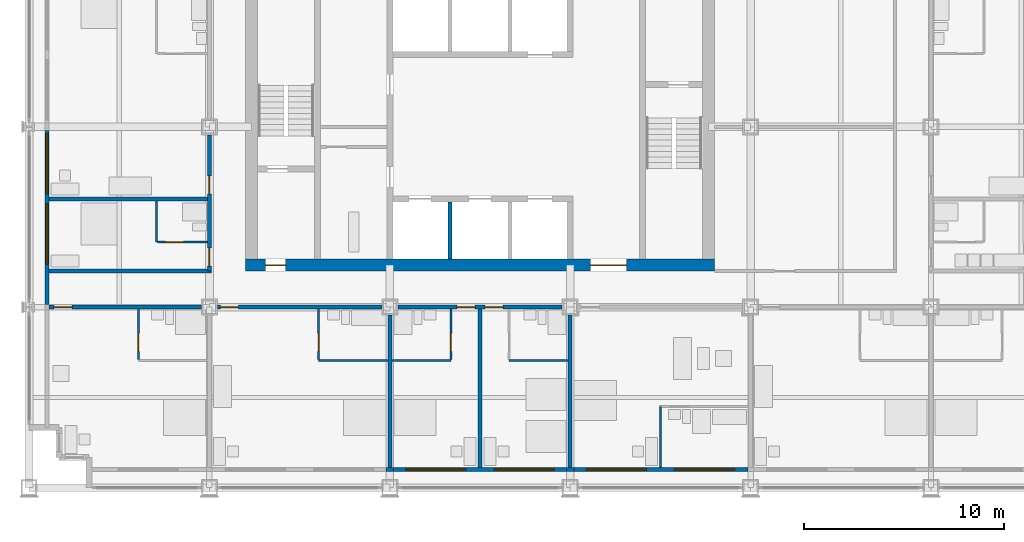
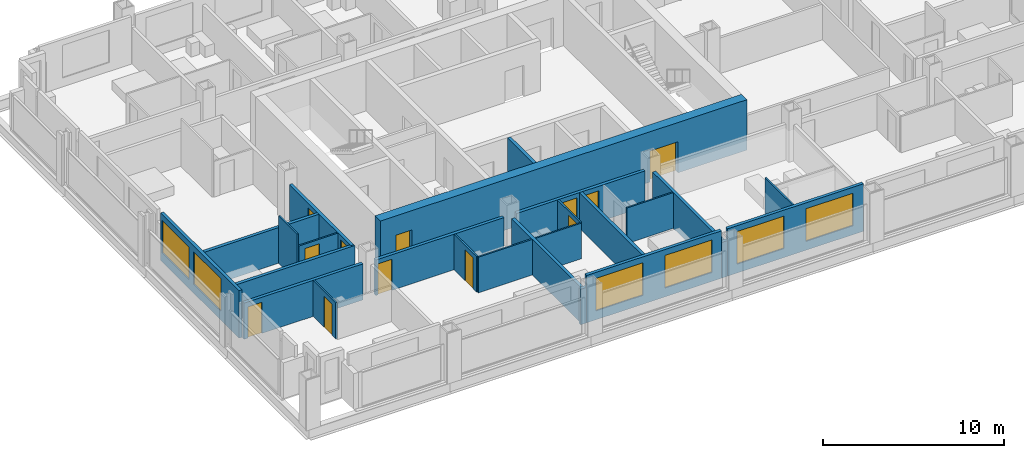
# One storey, part 10 of 18: 25 walls, 12 doors, 6 windows, 18 openings.
"""IFC4 building model written with IfcOpenShell, lengths in metres."""

from ifc_helpers import new_model, si_unit, direction, frame, frame_2d, origin, place, context, subcontext, project, spatial, rectangle, extrude, material, layer, layer_set, type_object, element, fill, save


model = new_model("IFC4")

# Units and contexts
model_context = context("Model", 3, precision=1e-05, world=origin(), true_north=direction((0.0, 1.0)))
body_context = subcontext(model_context, "Body", "Model", "MODEL_VIEW")
ifc_project = project(units=[si_unit("LENGTHUNIT", "METRE"), si_unit("AREAUNIT", "SQUARE_METRE"), si_unit("VOLUMEUNIT", "CUBIC_METRE"), si_unit("PLANEANGLEUNIT", "RADIAN"), si_unit("MASSUNIT", "GRAM", prefix="KILO")], contexts=[model_context])

# Site, building, storey
site_placement = place(None, origin())
site = spatial("IfcSite", under=ifc_project, at=site_placement, CompositionType="ELEMENT")
building_placement = place(site_placement, origin())
building = spatial("IfcBuilding", under=site, at=building_placement, Name="Loomwork Tower", CompositionType="ELEMENT")
storey_placement = place(building_placement, frame((0.0, 0.0, 65.39990234375)))
storey = spatial("IfcBuildingStorey", under=building, at=storey_placement, Name="L16", CompositionType="ELEMENT", Elevation=65.39990234375)

# Wall, openings, doors
ifc_material_1 = material(Name="Concrete 14000 psi (97 MPa)", Category="concrete")
ifc_layer_1 = layer(ifc_material_1, 0.60009765625)
ifc_layer_set_1 = layer_set([ifc_layer_1], Name="Core shear wall 600")
wall_type_1 = type_object("IfcWallType", Name="Core shear wall 600", PredefinedType="SHEAR", material=ifc_layer_set_1)
wall_1_placement = place(storey_placement, frame((10.800048828125, 11.10009765625, 0.0), z_axis=(0.0, 0.0, 1.0), x_axis=(1.0, 0.0, 0.0)))
wall_1 = element("IfcWall", 1, at=wall_1_placement, inside=storey, type_object=wall_type_1, Name="Core wall south L16", PredefinedType="SHEAR", context=body_context, shape_type="SweptSolid", body=[
    extrude(rectangle(XDim=23.39990234375, YDim=0.60009765625, at=frame_2d((11.699951171875, 0.0))), origin(), (0.0, 0.0, 1.0), 3.400146484375),
])
opening_1_placement = place(wall_1_placement, frame((1.0, 0.0, 0.0)))
opening_1 = element("IfcOpeningElement", 2, at=opening_1_placement, cuts=wall_1, Name="Opening D4", PredefinedType="OPENING", context=body_context, shape_type="SweptSolid", body=[
    extrude(rectangle(XDim=1.0, YDim=2.10009765625, at=frame_2d((0.5, 1.050048828125))), frame((0.0, 0.31005859375, 0.0), z_axis=(0.0, -1.0, 0.0), x_axis=(1.0, 0.0, 0.0)), (0.0, 0.0, 1.0), 0.6201171875),
])
opening_2_placement = place(wall_1_placement, frame((17.199951171875, 0.0, 0.0)))
opening_2 = element("IfcOpeningElement", 3, at=opening_2_placement, cuts=wall_1, Name="Opening D6", PredefinedType="OPENING", context=body_context, shape_type="SweptSolid", body=[
    extrude(rectangle(XDim=1.800048828125, YDim=2.10009765625, at=frame_2d((0.89990234375, 1.050048828125))), frame((0.0, 0.31005859375, 0.0), z_axis=(0.0, -1.0, 0.0), x_axis=(1.0, 0.0, 0.0)), (0.0, 0.0, 1.0), 0.6201171875),
])
ifc_material_2 = material(Name="Hollow metal door and frame")
door_type_1 = type_object("IfcDoorType", Name="Lobby passage double door 1800", OperationType="DOUBLE_DOOR_SINGLE_SWING", PredefinedType="DOOR", material=ifc_material_2)
door_1_placement = place(opening_2_placement, origin())
door_1 = element("IfcDoor", 4, at=door_1_placement, inside=storey, type_object=door_type_1, Name="Lobby passage door south", OperationType="DOUBLE_DOOR_SINGLE_SWING", OverallHeight=2.10009765625, OverallWidth=1.800048828125, PredefinedType="DOOR", context=body_context, shape_type="SweptSolid", body=[
    extrude(rectangle(XDim=1.800048828125, YDim=2.10009765625, at=frame_2d((0.89990234375, 1.050048828125))), frame((0.0, 0.02490234375, 0.0), z_axis=(0.0, -1.0, 0.0), x_axis=(1.0, 0.0, 0.0)), (0.0, 0.0, 1.0), 0.050048828125),
])
fill(opening_2, door_1)
ifc_material_3 = material(Name="Hollow metal door and frame")
door_type_2 = type_object("IfcDoorType", Name="Stair door 1000", OperationType="SINGLE_SWING_RIGHT", PredefinedType="DOOR", material=ifc_material_3)
door_2_placement = place(opening_1_placement, origin())
door_2 = element("IfcDoor", 5, at=door_2_placement, inside=storey, type_object=door_type_2, Name="Stair A vestibule door", OperationType="SINGLE_SWING_LEFT", OverallHeight=2.10009765625, OverallWidth=1.0, PredefinedType="DOOR", context=body_context, shape_type="SweptSolid", body=[
    extrude(rectangle(XDim=1.0, YDim=2.10009765625, at=frame_2d((0.5, 1.050048828125))), frame((0.0, 0.02490234375, 0.0), z_axis=(0.0, -1.0, 0.0), x_axis=(1.0, 0.0, 0.0)), (0.0, 0.0, 1.0), 0.050048828125),
])
fill(opening_1, door_2)

# Wall, opening, door
ifc_material_4 = material(Name="Gypsum board on steel studs, one-hour", Category="steel")
ifc_layer_2 = layer(ifc_material_4, 0.199951171875)
ifc_layer_set_2 = layer_set([ifc_layer_2], Name="Corridor wall 200")
wall_type_2 = type_object("IfcWallType", Name="Corridor wall 200", PredefinedType="PARTITIONING", material=ifc_layer_set_2)
wall_2_placement = place(storey_placement, frame((1.0, 9.0, 0.0), z_axis=(0.0, 0.0, 1.0), x_axis=(1.0, 0.0, 0.0)))
wall_2 = element("IfcWall", 6, at=wall_2_placement, inside=storey, type_object=wall_type_2, Name="South corridor wall 1", PredefinedType="PARTITIONING", context=body_context, shape_type="SweptSolid", body=[
    extrude(rectangle(XDim=7.60009765625, YDim=0.199951171875, at=frame_2d((3.800048828125, 0.0))), origin(), (0.0, 0.0, 1.0), 2.43798828125),
])
opening_3_placement = place(wall_2_placement, frame((0.25, 0.0, 0.0)))
opening_3 = element("IfcOpeningElement", 7, at=opening_3_placement, cuts=wall_2, Name="Opening D1", PredefinedType="OPENING", context=body_context, shape_type="SweptSolid", body=[
    extrude(rectangle(XDim=0.89990234375, YDim=2.10009765625, at=frame_2d((0.449951171875, 1.050048828125))), frame((0.0, 0.10986328125, 0.0), z_axis=(0.0, -1.0, 0.0), x_axis=(1.0, 0.0, 0.0)), (0.0, 0.0, 1.0), 0.219970703125),
])
ifc_material_5 = material(Name="Hollow metal door and frame")
door_type_3 = type_object("IfcDoorType", Name="Guest room entry door 900", OperationType="SINGLE_SWING_LEFT", PredefinedType="DOOR", material=ifc_material_5)
door_3_placement = place(opening_3_placement, frame((0.89990234375, 0.0, 0.0), z_axis=(0.0, 0.0, 1.0), x_axis=(-1.0, 0.0, 0.0)))
door_3 = element("IfcDoor", 8, at=door_3_placement, inside=storey, type_object=door_type_3, Name="Guest room entry door L16 1", OperationType="SINGLE_SWING_RIGHT", OverallHeight=2.10009765625, OverallWidth=0.89990234375, PredefinedType="DOOR", context=body_context, shape_type="SweptSolid", body=[
    extrude(rectangle(XDim=0.89990234375, YDim=2.10009765625, at=frame_2d((0.449951171875, 1.050048828125))), frame((0.0, 0.02490234375, 0.0), z_axis=(0.0, -1.0, 0.0), x_axis=(1.0, 0.0, 0.0)), (0.0, 0.0, 1.0), 0.050048828125),
])
fill(opening_3, door_3)

wall_3_placement = place(storey_placement, frame((9.39990234375, 9.0, 0.0), z_axis=(0.0, 0.0, 1.0), x_axis=(1.0, 0.0, 0.0)))
wall_3 = element("IfcWall", 9, at=wall_3_placement, inside=storey, type_object=wall_type_2, Name="South corridor wall 2", PredefinedType="PARTITIONING", context=body_context, shape_type="SweptSolid", body=[
    extrude(rectangle(XDim=8.2001953125, YDim=0.199951171875, at=frame_2d((4.10009765625, 0.0))), origin(), (0.0, 0.0, 1.0), 2.405029296875),
])
opening_4_placement = place(wall_3_placement, frame((0.14990234375, 0.0, 0.0)))
opening_4 = element("IfcOpeningElement", 10, at=opening_4_placement, cuts=wall_3, Name="Opening D1", PredefinedType="OPENING", context=body_context, shape_type="SweptSolid", body=[
    extrude(rectangle(XDim=0.89990234375, YDim=2.10009765625, at=frame_2d((0.449951171875, 1.050048828125))), frame((0.0, 0.10986328125, 0.0), z_axis=(0.0, -1.0, 0.0), x_axis=(1.0, 0.0, 0.0)), (0.0, 0.0, 1.0), 0.219970703125),
])
door_4_placement = place(opening_4_placement, frame((0.89990234375, 0.0, 0.0), z_axis=(0.0, 0.0, 1.0), x_axis=(-1.0, 0.0, 0.0)))
door_4 = element("IfcDoor", 11, at=door_4_placement, inside=storey, type_object=door_type_3, Name="Guest room entry door L16 2", OperationType="SINGLE_SWING_RIGHT", OverallHeight=2.10009765625, OverallWidth=0.89990234375, PredefinedType="DOOR", context=body_context, shape_type="SweptSolid", body=[
    extrude(rectangle(XDim=0.89990234375, YDim=2.10009765625, at=frame_2d((0.449951171875, 1.050048828125))), frame((0.0, 0.02490234375, 0.0), z_axis=(0.0, -1.0, 0.0), x_axis=(1.0, 0.0, 0.0)), (0.0, 0.0, 1.0), 0.050048828125),
])
fill(opening_4, door_4)

# Wall, openings, doors
wall_4_placement = place(storey_placement, frame((18.39990234375, 9.0, 0.0), z_axis=(0.0, 0.0, 1.0), x_axis=(1.0, 0.0, 0.0)))
wall_4 = element("IfcWall", 12, at=wall_4_placement, inside=storey, type_object=wall_type_2, Name="South corridor wall 3", PredefinedType="PARTITIONING", context=body_context, shape_type="SweptSolid", body=[
    extrude(rectangle(XDim=8.2001953125, YDim=0.199951171875, at=frame_2d((4.10009765625, 0.0))), origin(), (0.0, 0.0, 1.0), 2.405029296875),
])
opening_5_placement = place(wall_4_placement, frame((2.949951171875, 0.0, 0.0)))
opening_5 = element("IfcOpeningElement", 13, at=opening_5_placement, cuts=wall_4, Name="Opening D1", PredefinedType="OPENING", context=body_context, shape_type="SweptSolid", body=[
    extrude(rectangle(XDim=0.89990234375, YDim=2.10009765625, at=frame_2d((0.449951171875, 1.050048828125))), frame((0.0, 0.10986328125, 0.0), z_axis=(0.0, -1.0, 0.0), x_axis=(1.0, 0.0, 0.0)), (0.0, 0.0, 1.0), 0.219970703125),
])
opening_6_placement = place(wall_4_placement, frame((4.35009765625, 0.0, 0.0)))
opening_6 = element("IfcOpeningElement", 14, at=opening_6_placement, cuts=wall_4, Name="Opening D1", PredefinedType="OPENING", context=body_context, shape_type="SweptSolid", body=[
    extrude(rectangle(XDim=0.89990234375, YDim=2.10009765625, at=frame_2d((0.449951171875, 1.050048828125))), frame((0.0, 0.10986328125, 0.0), z_axis=(0.0, -1.0, 0.0), x_axis=(1.0, 0.0, 0.0)), (0.0, 0.0, 1.0), 0.219970703125),
])
door_5_placement = place(opening_5_placement, frame((0.89990234375, 0.0, 0.0), z_axis=(0.0, 0.0, 1.0), x_axis=(-1.0, 0.0, 0.0)))
door_5 = element("IfcDoor", 15, at=door_5_placement, inside=storey, type_object=door_type_3, Name="Guest room entry door L16 3", OperationType="SINGLE_SWING_LEFT", OverallHeight=2.10009765625, OverallWidth=0.89990234375, PredefinedType="DOOR", context=body_context, shape_type="SweptSolid", body=[
    extrude(rectangle(XDim=0.89990234375, YDim=2.10009765625, at=frame_2d((0.449951171875, 1.050048828125))), frame((0.0, 0.02490234375, 0.0), z_axis=(0.0, -1.0, 0.0), x_axis=(1.0, 0.0, 0.0)), (0.0, 0.0, 1.0), 0.050048828125),
])
fill(opening_5, door_5)
door_6_placement = place(opening_6_placement, frame((0.89990234375, 0.0, 0.0), z_axis=(0.0, 0.0, 1.0), x_axis=(-1.0, 0.0, 0.0)))
door_6 = element("IfcDoor", 16, at=door_6_placement, inside=storey, type_object=door_type_3, Name="Guest room entry door L16 4", OperationType="SINGLE_SWING_RIGHT", OverallHeight=2.10009765625, OverallWidth=0.89990234375, PredefinedType="DOOR", context=body_context, shape_type="SweptSolid", body=[
    extrude(rectangle(XDim=0.89990234375, YDim=2.10009765625, at=frame_2d((0.449951171875, 1.050048828125))), frame((0.0, 0.02490234375, 0.0), z_axis=(0.0, -1.0, 0.0), x_axis=(1.0, 0.0, 0.0)), (0.0, 0.0, 1.0), 0.050048828125),
])
fill(opening_6, door_6)

wall_5_placement = place(storey_placement, frame((9.0, 10.800048828125, 0.0), z_axis=(0.0, 0.0, 1.0), x_axis=(0.0, 1.0, 0.0)))
wall_5 = element("IfcWall", 17, at=wall_5_placement, inside=storey, type_object=wall_type_2, Name="West corridor wall 1", PredefinedType="PARTITIONING", context=body_context, shape_type="SweptSolid", body=[
    extrude(rectangle(XDim=6.800048828125, YDim=0.199951171875, at=frame_2d((3.39990234375, 0.0))), origin(), (0.0, 0.0, 1.0), 2.405029296875),
])
opening_7_placement = place(wall_5_placement, frame((0.25, 0.0, 0.0)))
opening_7 = element("IfcOpeningElement", 18, at=opening_7_placement, cuts=wall_5, Name="Opening D1", PredefinedType="OPENING", context=body_context, shape_type="SweptSolid", body=[
    extrude(rectangle(XDim=0.89990234375, YDim=2.10009765625, at=frame_2d((0.449951171875, 1.050048828125))), frame((0.0, 0.10986328125, 0.0), z_axis=(0.0, -1.0, 0.0), x_axis=(1.0, 0.0, 0.0)), (0.0, 0.0, 1.0), 0.219970703125),
])
opening_8_placement = place(wall_5_placement, frame((3.85009765625, 0.0, 0.0)))
opening_8 = element("IfcOpeningElement", 19, at=opening_8_placement, cuts=wall_5, Name="Opening D1", PredefinedType="OPENING", context=body_context, shape_type="SweptSolid", body=[
    extrude(rectangle(XDim=0.89990234375, YDim=2.10009765625, at=frame_2d((0.449951171875, 1.050048828125))), frame((0.0, 0.10986328125, 0.0), z_axis=(0.0, -1.0, 0.0), x_axis=(1.0, 0.0, 0.0)), (0.0, 0.0, 1.0), 0.219970703125),
])
door_7_placement = place(opening_7_placement, origin())
door_7 = element("IfcDoor", 20, at=door_7_placement, inside=storey, type_object=door_type_3, Name="Guest room entry door L16 16", OperationType="SINGLE_SWING_LEFT", OverallHeight=2.10009765625, OverallWidth=0.89990234375, PredefinedType="DOOR", context=body_context, shape_type="SweptSolid", body=[
    extrude(rectangle(XDim=0.89990234375, YDim=2.10009765625, at=frame_2d((0.449951171875, 1.050048828125))), frame((0.0, 0.02490234375, 0.0), z_axis=(0.0, -1.0, 0.0), x_axis=(1.0, 0.0, 0.0)), (0.0, 0.0, 1.0), 0.050048828125),
])
fill(opening_7, door_7)
door_8_placement = place(opening_8_placement, origin())
door_8 = element("IfcDoor", 21, at=door_8_placement, inside=storey, type_object=door_type_3, Name="Guest room entry door L16 17", OperationType="SINGLE_SWING_LEFT", OverallHeight=2.10009765625, OverallWidth=0.89990234375, PredefinedType="DOOR", context=body_context, shape_type="SweptSolid", body=[
    extrude(rectangle(XDim=0.89990234375, YDim=2.10009765625, at=frame_2d((0.449951171875, 1.050048828125))), frame((0.0, 0.02490234375, 0.0), z_axis=(0.0, -1.0, 0.0), x_axis=(1.0, 0.0, 0.0)), (0.0, 0.0, 1.0), 0.050048828125),
])
fill(opening_8, door_8)

# Wall
wall_6_placement = place(storey_placement, frame((1.0, 10.800048828125, 0.0), z_axis=(0.0, 0.0, 1.0), x_axis=(1.0, 0.0, 0.0)))
element("IfcWall", 22, at=wall_6_placement, inside=storey, type_object=wall_type_2, Name="West band end wall S", PredefinedType="PARTITIONING", context=body_context, shape_type="SweptSolid", body=[
    extrude(rectangle(XDim=8.10009765625, YDim=0.199951171875, at=frame_2d((4.050048828125, 0.0))), origin(), (0.0, 0.0, 1.0), 2.404052734375),
])

# Wall, opening, door
ifc_material_6 = material(Name="Cement board on steel studs", Category="steel")
ifc_layer_3 = layer(ifc_material_6, 0.10009765625)
ifc_layer_set_3 = layer_set([ifc_layer_3], Name="En-suite partition 100")
wall_type_3 = type_object("IfcWallType", Name="En-suite partition 100", PredefinedType="PARTITIONING", material=ifc_layer_set_3)
wall_7_placement = place(storey_placement, frame((5.449951171875, 8.89990234375, 0.0), z_axis=(0.0, 0.0, 1.0), x_axis=(0.0, -1.0, 0.0)))
wall_7 = element("IfcWall", 23, at=wall_7_placement, inside=storey, type_object=wall_type_3, Name="En-suite side wall L16 room 1", PredefinedType="PARTITIONING", context=body_context, shape_type="SweptSolid", body=[
    extrude(rectangle(XDim=2.5, YDim=0.10009765625, at=frame_2d((1.25, 0.0))), origin(), (0.0, 0.0, 1.0), 2.43798828125),
])
opening_9_placement = place(wall_7_placement, frame((1.199951171875, 0.0, 0.0)))
opening_9 = element("IfcOpeningElement", 24, at=opening_9_placement, cuts=wall_7, Name="Opening D3", PredefinedType="OPENING", context=body_context, shape_type="SweptSolid", body=[
    extrude(rectangle(XDim=0.89990234375, YDim=2.10009765625, at=frame_2d((0.449951171875, 1.050048828125))), frame((0.0, 0.06005859375, 0.0), z_axis=(0.0, -1.0, 0.0), x_axis=(1.0, 0.0, 0.0)), (0.0, 0.0, 1.0), 0.1201171875),
])
ifc_material_7 = material(Name="Hollow metal door and frame")
door_type_4 = type_object("IfcDoorType", Name="Accessible en-suite door 900", OperationType="SLIDING_TO_LEFT", PredefinedType="DOOR", material=ifc_material_7)
door_9_placement = place(opening_9_placement, origin())
door_9 = element("IfcDoor", 25, at=door_9_placement, inside=storey, type_object=door_type_4, Name="Accessible en-suite door room 1", OperationType="SLIDING_TO_LEFT", OverallHeight=2.10009765625, OverallWidth=0.89990234375, PredefinedType="DOOR", context=body_context, shape_type="SweptSolid", body=[
    extrude(rectangle(XDim=0.89990234375, YDim=2.10009765625, at=frame_2d((0.449951171875, 1.050048828125))), frame((0.0, 0.02490234375, 0.0), z_axis=(0.0, -1.0, 0.0), x_axis=(1.0, 0.0, 0.0)), (0.0, 0.0, 1.0), 0.050048828125),
])
fill(opening_9, door_9)

# Wall
wall_8_placement = place(storey_placement, frame((14.449951171875, 6.35009765625, 0.0), z_axis=(0.0, 0.0, 1.0), x_axis=(1.0, 0.0, 0.0)))
element("IfcWall", 26, at=wall_8_placement, inside=storey, type_object=wall_type_3, Name="En-suite wall L16 room 2", PredefinedType="PARTITIONING", context=body_context, shape_type="SweptSolid", body=[
    extrude(rectangle(XDim=3.449951171875, YDim=0.10009765625, at=frame_2d((1.72509765625, 0.0))), origin(), (0.0, 0.0, 1.0), 2.404052734375),
])

# Wall, opening, door
wall_9_placement = place(storey_placement, frame((14.449951171875, 8.89990234375, 0.0), z_axis=(0.0, 0.0, 1.0), x_axis=(0.0, -1.0, 0.0)))
wall_9 = element("IfcWall", 27, at=wall_9_placement, inside=storey, type_object=wall_type_3, Name="En-suite side wall L16 room 2", PredefinedType="PARTITIONING", context=body_context, shape_type="SweptSolid", body=[
    extrude(rectangle(XDim=2.5, YDim=0.10009765625, at=frame_2d((1.25, 0.0))), origin(), (0.0, 0.0, 1.0), 2.404052734375),
])
opening_10_placement = place(wall_9_placement, frame((1.199951171875, 0.0, 0.0)))
opening_10 = element("IfcOpeningElement", 28, at=opening_10_placement, cuts=wall_9, Name="Opening D2", PredefinedType="OPENING", context=body_context, shape_type="SweptSolid", body=[
    extrude(rectangle(XDim=0.89990234375, YDim=2.10009765625, at=frame_2d((0.449951171875, 1.050048828125))), frame((0.0, 0.06005859375, 0.0), z_axis=(0.0, -1.0, 0.0), x_axis=(1.0, 0.0, 0.0)), (0.0, 0.0, 1.0), 0.1201171875),
])
ifc_material_8 = material(Name="Hollow metal door and frame")
door_type_5 = type_object("IfcDoorType", Name="En-suite door 900", OperationType="SINGLE_SWING_LEFT", PredefinedType="DOOR", material=ifc_material_8)
door_10_placement = place(opening_10_placement, origin())
door_10 = element("IfcDoor", 29, at=door_10_placement, inside=storey, type_object=door_type_5, Name="En-suite door room 2", OperationType="SINGLE_SWING_RIGHT", OverallHeight=2.10009765625, OverallWidth=0.89990234375, PredefinedType="DOOR", context=body_context, shape_type="SweptSolid", body=[
    extrude(rectangle(XDim=0.89990234375, YDim=2.10009765625, at=frame_2d((0.449951171875, 1.050048828125))), frame((0.0, 0.02490234375, 0.0), z_axis=(0.0, -1.0, 0.0), x_axis=(1.0, 0.0, 0.0)), (0.0, 0.0, 1.0), 0.050048828125),
])
fill(opening_10, door_10)

# Wall
wall_10_placement = place(storey_placement, frame((18.10009765625, 6.35009765625, 0.0), z_axis=(0.0, 0.0, 1.0), x_axis=(1.0, 0.0, 0.0)))
element("IfcWall", 30, at=wall_10_placement, inside=storey, type_object=wall_type_3, Name="En-suite wall L16 room 3", PredefinedType="PARTITIONING", context=body_context, shape_type="SweptSolid", body=[
    extrude(rectangle(XDim=2.949951171875, YDim=0.10009765625, at=frame_2d((1.47509765625, 0.0))), origin(), (0.0, 0.0, 1.0), 2.404052734375),
])

# Wall, opening, door
wall_11_placement = place(storey_placement, frame((21.050048828125, 8.89990234375, 0.0), z_axis=(0.0, 0.0, 1.0), x_axis=(0.0, -1.0, 0.0)))
wall_11 = element("IfcWall", 31, at=wall_11_placement, inside=storey, type_object=wall_type_3, Name="En-suite side wall L16 room 3", PredefinedType="PARTITIONING", context=body_context, shape_type="SweptSolid", body=[
    extrude(rectangle(XDim=2.5, YDim=0.10009765625, at=frame_2d((1.25, 0.0))), origin(), (0.0, 0.0, 1.0), 2.404052734375),
])
opening_11_placement = place(wall_11_placement, frame((1.199951171875, 0.0, 0.0)))
opening_11 = element("IfcOpeningElement", 32, at=opening_11_placement, cuts=wall_11, Name="Opening D2", PredefinedType="OPENING", context=body_context, shape_type="SweptSolid", body=[
    extrude(rectangle(XDim=0.89990234375, YDim=2.10009765625, at=frame_2d((0.449951171875, 1.050048828125))), frame((0.0, 0.06005859375, 0.0), z_axis=(0.0, -1.0, 0.0), x_axis=(1.0, 0.0, 0.0)), (0.0, 0.0, 1.0), 0.1201171875),
])
door_11_placement = place(opening_11_placement, frame((0.89990234375, 0.0, 0.0), z_axis=(0.0, 0.0, 1.0), x_axis=(-1.0, 0.0, 0.0)))
door_11 = element("IfcDoor", 33, at=door_11_placement, inside=storey, type_object=door_type_5, Name="En-suite door room 3", OperationType="SINGLE_SWING_LEFT", OverallHeight=2.10009765625, OverallWidth=0.89990234375, PredefinedType="DOOR", context=body_context, shape_type="SweptSolid", body=[
    extrude(rectangle(XDim=0.89990234375, YDim=2.10009765625, at=frame_2d((0.449951171875, 1.050048828125))), frame((0.0, 0.02490234375, 0.0), z_axis=(0.0, -1.0, 0.0), x_axis=(1.0, 0.0, 0.0)), (0.0, 0.0, 1.0), 0.050048828125),
])
fill(opening_11, door_11)

# Walls
wall_12_placement = place(storey_placement, frame((23.949951171875, 6.35009765625, 0.0), z_axis=(0.0, 0.0, 1.0), x_axis=(1.0, 0.0, 0.0)))
element("IfcWall", 34, at=wall_12_placement, inside=storey, type_object=wall_type_3, Name="En-suite wall L16 room 4", PredefinedType="PARTITIONING", context=body_context, shape_type="SweptSolid", body=[
    extrude(rectangle(XDim=2.949951171875, YDim=0.10009765625, at=frame_2d((1.47509765625, 0.0))), origin(), (0.0, 0.0, 1.0), 2.404052734375),
])
wall_13_placement = place(storey_placement, frame((31.5, 4.050048828125, 0.0), z_axis=(0.0, 0.0, 1.0), x_axis=(0.0, -1.0, 0.0)))
element("IfcWall", 35, at=wall_13_placement, inside=storey, type_object=wall_type_3, Name="Spa bathroom side wall L16 room 5", PredefinedType="PARTITIONING", context=body_context, shape_type="SweptSolid", body=[
    extrude(rectangle(XDim=3.050048828125, YDim=0.10009765625, at=frame_2d((1.52490234375, 0.0))), origin(), (0.0, 0.0, 1.0), 3.2001953125),
])
wall_14_placement = place(storey_placement, frame((6.35009765625, 12.25, 0.0), z_axis=(0.0, 0.0, 1.0), x_axis=(0.0, 1.0, 0.0)))
element("IfcWall", 36, at=wall_14_placement, inside=storey, type_object=wall_type_3, Name="En-suite wall L16 room 16", PredefinedType="PARTITIONING", context=body_context, shape_type="SweptSolid", body=[
    extrude(rectangle(XDim=2.050048828125, YDim=0.10009765625, at=frame_2d((1.02490234375, 0.0))), origin(), (0.0, 0.0, 1.0), 3.2001953125),
])

# Wall, opening, door
wall_15_placement = place(storey_placement, frame((8.89990234375, 12.25, 0.0), z_axis=(0.0, 0.0, 1.0), x_axis=(-1.0, 0.0, 0.0)))
wall_15 = element("IfcWall", 37, at=wall_15_placement, inside=storey, type_object=wall_type_3, Name="En-suite side wall L16 room 16", PredefinedType="PARTITIONING", context=body_context, shape_type="SweptSolid", body=[
    extrude(rectangle(XDim=2.5, YDim=0.10009765625, at=frame_2d((1.25, 0.0))), origin(), (0.0, 0.0, 1.0), 2.404052734375),
])
opening_12_placement = place(wall_15_placement, frame((1.199951171875, 0.0, 0.0)))
opening_12 = element("IfcOpeningElement", 38, at=opening_12_placement, cuts=wall_15, Name="Opening D2", PredefinedType="OPENING", context=body_context, shape_type="SweptSolid", body=[
    extrude(rectangle(XDim=0.89990234375, YDim=2.10009765625, at=frame_2d((0.449951171875, 1.050048828125))), frame((0.0, 0.06005859375, 0.0), z_axis=(0.0, -1.0, 0.0), x_axis=(1.0, 0.0, 0.0)), (0.0, 0.0, 1.0), 0.1201171875),
])
door_12_placement = place(opening_12_placement, frame((0.89990234375, 0.0, 0.0), z_axis=(0.0, 0.0, 1.0), x_axis=(-1.0, 0.0, 0.0)))
door_12 = element("IfcDoor", 39, at=door_12_placement, inside=storey, type_object=door_type_5, Name="En-suite door room 16", OperationType="SINGLE_SWING_LEFT", OverallHeight=2.10009765625, OverallWidth=0.89990234375, PredefinedType="DOOR", context=body_context, shape_type="SweptSolid", body=[
    extrude(rectangle(XDim=0.89990234375, YDim=2.10009765625, at=frame_2d((0.449951171875, 1.050048828125))), frame((0.0, 0.02490234375, 0.0), z_axis=(0.0, -1.0, 0.0), x_axis=(1.0, 0.0, 0.0)), (0.0, 0.0, 1.0), 0.050048828125),
])
fill(opening_12, door_12)

# Walls
ifc_material_9 = material(Name="Gypsum board on steel studs, acoustic", Category="steel")
ifc_layer_4 = layer(ifc_material_9, 0.199951171875)
ifc_layer_set_4 = layer_set([ifc_layer_4], Name="Guest room party wall 200")
wall_type_4 = type_object("IfcWallType", Name="Guest room party wall 200", PredefinedType="PARTITIONING", material=ifc_layer_set_4)
wall_16_placement = place(storey_placement, frame((18.0, 8.60009765625, 0.0), z_axis=(0.0, 0.0, 1.0), x_axis=(0.0, -1.0, 0.0)))
element("IfcWall", 40, at=wall_16_placement, inside=storey, type_object=wall_type_4, Name="Guest room party wall S 18", PredefinedType="PARTITIONING", context=body_context, shape_type="SweptSolid", body=[
    extrude(rectangle(XDim=7.60009765625, YDim=0.199951171875, at=frame_2d((3.800048828125, 0.0))), origin(), (0.0, 0.0, 1.0), 2.405029296875),
])
wall_17_placement = place(storey_placement, frame((22.5, 8.89990234375, 0.0), z_axis=(0.0, 0.0, 1.0), x_axis=(0.0, -1.0, 0.0)))
element("IfcWall", 41, at=wall_17_placement, inside=storey, type_object=wall_type_4, Name="Guest room party wall S 22.5", PredefinedType="PARTITIONING", context=body_context, shape_type="SweptSolid", body=[
    extrude(rectangle(XDim=7.89990234375, YDim=0.199951171875, at=frame_2d((3.949951171875, 0.0))), origin(), (0.0, 0.0, 1.0), 2.404052734375),
])
wall_18_placement = place(storey_placement, frame((27.0, 8.60009765625, 0.0), z_axis=(0.0, 0.0, 1.0), x_axis=(0.0, -1.0, 0.0)))
element("IfcWall", 42, at=wall_18_placement, inside=storey, type_object=wall_type_4, Name="Guest room party wall S 27", PredefinedType="PARTITIONING", context=body_context, shape_type="SweptSolid", body=[
    extrude(rectangle(XDim=7.60009765625, YDim=0.199951171875, at=frame_2d((3.800048828125, 0.0))), origin(), (0.0, 0.0, 1.0), 2.405029296875),
])
wall_19_placement = place(storey_placement, frame((8.89990234375, 14.39990234375, 0.0), z_axis=(0.0, 0.0, 1.0), x_axis=(-1.0, 0.0, 0.0)))
element("IfcWall", 43, at=wall_19_placement, inside=storey, type_object=wall_type_4, Name="Guest room party wall W 14.4", PredefinedType="PARTITIONING", context=body_context, shape_type="SweptSolid", body=[
    extrude(rectangle(XDim=7.89990234375, YDim=0.199951171875, at=frame_2d((3.949951171875, 0.0))), origin(), (0.0, 0.0, 1.0), 2.404052734375),
])
ifc_material_10 = material(Name="Insulated steel stud wall with gypsum lining", Category="steel")
ifc_layer_5 = layer(ifc_material_10, 0.199951171875)
ifc_layer_set_5 = layer_set([ifc_layer_5], Name="Inner skin wall 200")
wall_type_5 = type_object("IfcWallType", Name="Inner skin wall 200", PredefinedType="SOLIDWALL", material=ifc_layer_set_5)
wall_20_placement = place(storey_placement, frame((17.80615234375, 0.89990234375, 0.0), z_axis=(0.0, 0.0, 1.0), x_axis=(1.0, 0.0, 0.0)))
element("IfcWall", 44, at=wall_20_placement, inside=storey, type_object=wall_type_5, Name="Inner skin wall S bay 4", PredefinedType="SOLIDWALL", context=body_context, shape_type="SweptSolid", body=[
    extrude(rectangle(XDim=0.3876953125, YDim=0.199951171875, at=frame_2d((0.19384765625, 0.0))), origin(), (0.0, 0.0, 1.0), 2.404052734375),
])

# Wall, openings, windows
wall_21_placement = place(storey_placement, frame((18.19384765625, 0.89990234375, 0.0), z_axis=(0.0, 0.0, 1.0), x_axis=(1.0, 0.0, 0.0)))
wall_21 = element("IfcWall", 45, at=wall_21_placement, inside=storey, type_object=wall_type_5, Name="Inner skin wall S bay 5", PredefinedType="SOLIDWALL", context=body_context, shape_type="SweptSolid", body=[
    extrude(rectangle(XDim=8.6123046875, YDim=0.199951171875, at=frame_2d((4.30615234375, 0.0))), origin(), (0.0, 0.0, 1.0), 3.2001953125),
])
opening_13_placement = place(wall_21_placement, frame((0.606201171875, 0.0, 0.60009765625)))
opening_13 = element("IfcOpeningElement", 46, at=opening_13_placement, cuts=wall_21, Name="Opening CH1", PredefinedType="OPENING", context=body_context, shape_type="SweptSolid", body=[
    extrude(rectangle(XDim=3.0, YDim=2.199951171875, at=frame_2d((1.5, 1.10009765625))), frame((0.0, 0.10986328125, 0.0), z_axis=(0.0, -1.0, 0.0), x_axis=(1.0, 0.0, 0.0)), (0.0, 0.0, 1.0), 0.219970703125),
])
opening_14_placement = place(wall_21_placement, frame((5.006103515625, 0.0, 0.60009765625)))
opening_14 = element("IfcOpeningElement", 47, at=opening_14_placement, cuts=wall_21, Name="Opening CH1", PredefinedType="OPENING", context=body_context, shape_type="SweptSolid", body=[
    extrude(rectangle(XDim=3.0, YDim=2.199951171875, at=frame_2d((1.5, 1.10009765625))), frame((0.0, 0.10986328125, 0.0), z_axis=(0.0, -1.0, 0.0), x_axis=(1.0, 0.0, 0.0)), (0.0, 0.0, 1.0), 0.219970703125),
])
ifc_material_11 = material(Name="Aluminium frame with clear insulated glass", Category="aluminium")
window_type = type_object("IfcWindowType", Name="Chicago window 3000", PartitioningType="TRIPLE_PANEL_VERTICAL", PredefinedType="WINDOW", material=ifc_material_11)
window_1_placement = place(opening_13_placement, origin())
window_1 = element("IfcWindow", 48, at=window_1_placement, inside=storey, type_object=window_type, Name="Chicago window L16 bay 3", OverallHeight=2.199951171875, OverallWidth=3.0, PartitioningType="TRIPLE_PANEL_VERTICAL", PredefinedType="WINDOW", context=body_context, shape_type="SweptSolid", body=[
    extrude(rectangle(XDim=3.0, YDim=2.199951171875, at=frame_2d((1.5, 1.10009765625))), frame((0.0, 0.030029296875, 0.0), z_axis=(0.0, -1.0, 0.0), x_axis=(1.0, 0.0, 0.0)), (0.0, 0.0, 1.0), 0.06005859375),
])
fill(opening_13, window_1)
window_2_placement = place(opening_14_placement, origin())
window_2 = element("IfcWindow", 49, at=window_2_placement, inside=storey, type_object=window_type, Name="Chicago window L16 bay 3", OverallHeight=2.199951171875, OverallWidth=3.0, PartitioningType="TRIPLE_PANEL_VERTICAL", PredefinedType="WINDOW", context=body_context, shape_type="SweptSolid", body=[
    extrude(rectangle(XDim=3.0, YDim=2.199951171875, at=frame_2d((1.5, 1.10009765625))), frame((0.0, 0.030029296875, 0.0), z_axis=(0.0, -1.0, 0.0), x_axis=(1.0, 0.0, 0.0)), (0.0, 0.0, 1.0), 0.06005859375),
])
fill(opening_14, window_2)

# Wall
wall_22_placement = place(storey_placement, frame((26.80615234375, 0.89990234375, 0.0), z_axis=(0.0, 0.0, 1.0), x_axis=(1.0, 0.0, 0.0)))
element("IfcWall", 50, at=wall_22_placement, inside=storey, type_object=wall_type_5, Name="Inner skin wall S bay 6", PredefinedType="SOLIDWALL", context=body_context, shape_type="SweptSolid", body=[
    extrude(rectangle(XDim=0.3876953125, YDim=0.199951171875, at=frame_2d((0.19384765625, 0.0))), origin(), (0.0, 0.0, 1.0), 2.404052734375),
])

# Wall, openings, windows
wall_23_placement = place(storey_placement, frame((27.19384765625, 0.89990234375, 0.0), z_axis=(0.0, 0.0, 1.0), x_axis=(1.0, 0.0, 0.0)))
wall_23 = element("IfcWall", 51, at=wall_23_placement, inside=storey, type_object=wall_type_5, Name="Inner skin wall S bay 7", PredefinedType="SOLIDWALL", context=body_context, shape_type="SweptSolid", body=[
    extrude(rectangle(XDim=8.670654296875, YDim=0.199951171875, at=frame_2d((4.33544921875, 0.0))), origin(), (0.0, 0.0, 1.0), 3.2001953125),
])
opening_15_placement = place(wall_23_placement, frame((0.606201171875, 0.0, 0.60009765625)))
opening_15 = element("IfcOpeningElement", 52, at=opening_15_placement, cuts=wall_23, Name="Opening CH1", PredefinedType="OPENING", context=body_context, shape_type="SweptSolid", body=[
    extrude(rectangle(XDim=3.0, YDim=2.199951171875, at=frame_2d((1.5, 1.10009765625))), frame((0.0, 0.10986328125, 0.0), z_axis=(0.0, -1.0, 0.0), x_axis=(1.0, 0.0, 0.0)), (0.0, 0.0, 1.0), 0.219970703125),
])
opening_16_placement = place(wall_23_placement, frame((5.006103515625, 0.0, 0.60009765625)))
opening_16 = element("IfcOpeningElement", 53, at=opening_16_placement, cuts=wall_23, Name="Opening CH1", PredefinedType="OPENING", context=body_context, shape_type="SweptSolid", body=[
    extrude(rectangle(XDim=3.0, YDim=2.199951171875, at=frame_2d((1.5, 1.10009765625))), frame((0.0, 0.10986328125, 0.0), z_axis=(0.0, -1.0, 0.0), x_axis=(1.0, 0.0, 0.0)), (0.0, 0.0, 1.0), 0.219970703125),
])
window_3_placement = place(opening_15_placement, origin())
window_3 = element("IfcWindow", 54, at=window_3_placement, inside=storey, type_object=window_type, Name="Chicago window L16 bay 4", OverallHeight=2.199951171875, OverallWidth=3.0, PartitioningType="TRIPLE_PANEL_VERTICAL", PredefinedType="WINDOW", context=body_context, shape_type="SweptSolid", body=[
    extrude(rectangle(XDim=3.0, YDim=2.199951171875, at=frame_2d((1.5, 1.10009765625))), frame((0.0, 0.030029296875, 0.0), z_axis=(0.0, -1.0, 0.0), x_axis=(1.0, 0.0, 0.0)), (0.0, 0.0, 1.0), 0.06005859375),
])
fill(opening_15, window_3)
window_4_placement = place(opening_16_placement, origin())
window_4 = element("IfcWindow", 55, at=window_4_placement, inside=storey, type_object=window_type, Name="Chicago window L16 bay 4", OverallHeight=2.199951171875, OverallWidth=3.0, PartitioningType="TRIPLE_PANEL_VERTICAL", PredefinedType="WINDOW", context=body_context, shape_type="SweptSolid", body=[
    extrude(rectangle(XDim=3.0, YDim=2.199951171875, at=frame_2d((1.5, 1.10009765625))), frame((0.0, 0.030029296875, 0.0), z_axis=(0.0, -1.0, 0.0), x_axis=(1.0, 0.0, 0.0)), (0.0, 0.0, 1.0), 0.06005859375),
])
fill(opening_16, window_4)

wall_24_placement = place(storey_placement, frame((0.89990234375, 9.13525390625, 0.0), z_axis=(0.0, 0.0, 1.0), x_axis=(0.0, 1.0, 0.0)))
wall_24 = element("IfcWall", 56, at=wall_24_placement, inside=storey, type_object=wall_type_5, Name="Inner skin wall W bay 5", PredefinedType="SOLIDWALL", context=body_context, shape_type="SweptSolid", body=[
    extrude(rectangle(XDim=8.6708984375, YDim=0.199951171875, at=frame_2d((4.33544921875, 0.0))), origin(), (0.0, 0.0, 1.0), 3.2001953125),
])
opening_17_placement = place(wall_24_placement, frame((2.0146484375, 0.0, 0.60009765625)))
opening_17 = element("IfcOpeningElement", 57, at=opening_17_placement, cuts=wall_24, Name="Opening CH1", PredefinedType="OPENING", context=body_context, shape_type="SweptSolid", body=[
    extrude(rectangle(XDim=3.0, YDim=2.199951171875, at=frame_2d((1.5, 1.10009765625))), frame((0.0, 0.10986328125, 0.0), z_axis=(0.0, -1.0, 0.0), x_axis=(1.0, 0.0, 0.0)), (0.0, 0.0, 1.0), 0.219970703125),
])
opening_18_placement = place(wall_24_placement, frame((5.5146484375, 0.0, 0.60009765625)))
opening_18 = element("IfcOpeningElement", 58, at=opening_18_placement, cuts=wall_24, Name="Opening CH1", PredefinedType="OPENING", context=body_context, shape_type="SweptSolid", body=[
    extrude(rectangle(XDim=3.0, YDim=2.199951171875, at=frame_2d((1.5, 1.10009765625))), frame((0.0, 0.10986328125, 0.0), z_axis=(0.0, -1.0, 0.0), x_axis=(1.0, 0.0, 0.0)), (0.0, 0.0, 1.0), 0.219970703125),
])
window_5_placement = place(opening_17_placement, origin())
window_5 = element("IfcWindow", 59, at=window_5_placement, inside=storey, type_object=window_type, Name="Chicago window L16 bay 13", OverallHeight=2.199951171875, OverallWidth=3.0, PartitioningType="TRIPLE_PANEL_VERTICAL", PredefinedType="WINDOW", context=body_context, shape_type="SweptSolid", body=[
    extrude(rectangle(XDim=3.0, YDim=2.199951171875, at=frame_2d((1.5, 1.10009765625))), frame((0.0, 0.030029296875, 0.0), z_axis=(0.0, -1.0, 0.0), x_axis=(1.0, 0.0, 0.0)), (0.0, 0.0, 1.0), 0.06005859375),
])
fill(opening_17, window_5)
window_6_placement = place(opening_18_placement, origin())
window_6 = element("IfcWindow", 60, at=window_6_placement, inside=storey, type_object=window_type, Name="Chicago window L16 bay 13", OverallHeight=2.199951171875, OverallWidth=3.0, PartitioningType="TRIPLE_PANEL_VERTICAL", PredefinedType="WINDOW", context=body_context, shape_type="SweptSolid", body=[
    extrude(rectangle(XDim=3.0, YDim=2.199951171875, at=frame_2d((1.5, 1.10009765625))), frame((0.0, 0.030029296875, 0.0), z_axis=(0.0, -1.0, 0.0), x_axis=(1.0, 0.0, 0.0)), (0.0, 0.0, 1.0), 0.06005859375),
])
fill(opening_18, window_6)

# Wall
ifc_material_12 = material(Name="Concrete 14000 psi (97 MPa)", Category="concrete")
ifc_layer_6 = layer(ifc_material_12, 0.199951171875)
ifc_layer_set_6 = layer_set([ifc_layer_6], Name="Lift shaft wall 200")
wall_type_6 = type_object("IfcWallType", Name="Lift shaft wall 200", PredefinedType="SHEAR", material=ifc_layer_set_6)
wall_25_placement = place(storey_placement, frame((21.0, 11.39990234375, 0.0), z_axis=(0.0, 0.0, 1.0), x_axis=(0.0, 1.0, 0.0)))
element("IfcWall", 61, at=wall_25_placement, inside=storey, type_object=wall_type_6, Name="Lift shaft separation wall south 1 L16", PredefinedType="SHEAR", context=body_context, shape_type="SweptSolid", body=[
    extrude(rectangle(XDim=2.85009765625, YDim=0.199951171875, at=frame_2d((1.425048828125, 0.0))), origin(), (0.0, 0.0, 1.0), 3.400146484375),
])

save(model, "model.ifc")
